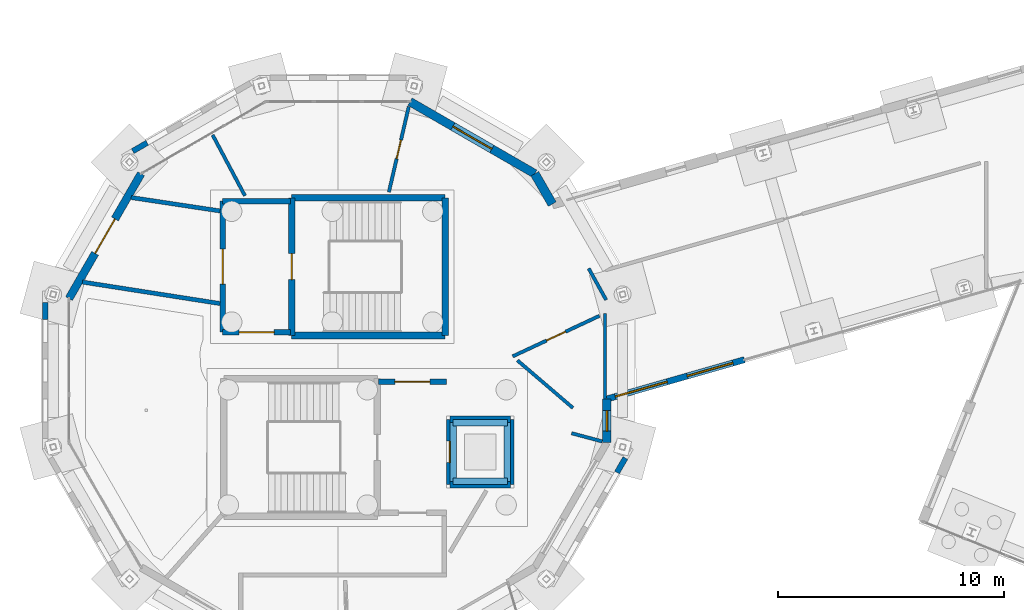
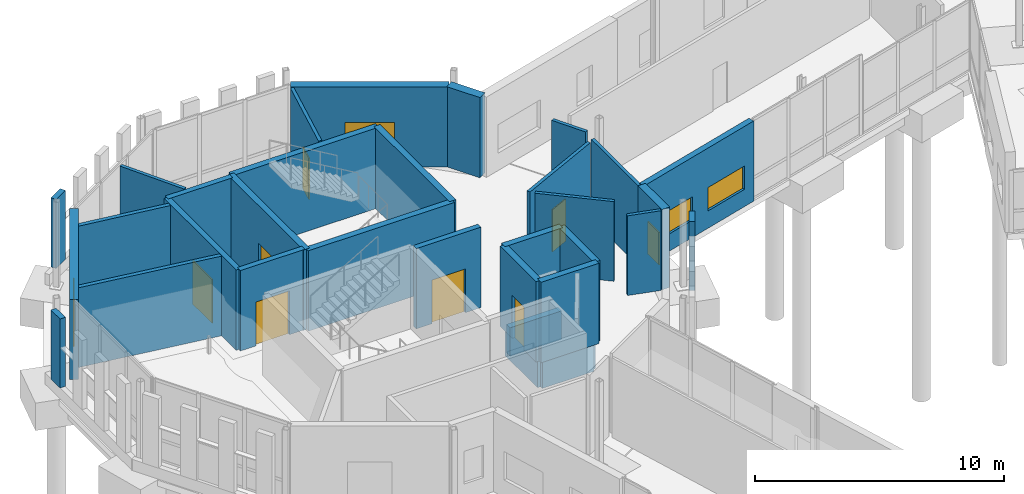
# One storey, part 83 of 113: 33 walls, 9 doors, 3 windows, 12 openings.
"""IFC4 building model written with IfcOpenShell, lengths in metres."""

from ifc_helpers import new_model, si_unit, direction, frame, frame_2d, origin, place, context, subcontext, project, spatial, rectangle, extrude, material, layer, layer_set, type_object, element, fill, save


model = new_model("IFC4")

# Units and contexts
model_context = context("Model", 3, precision=1e-05, world=origin(), true_north=direction((0.0, 1.0)))
body_context = subcontext(model_context, "Body", "Model", "MODEL_VIEW")
ifc_project = project(units=[si_unit("LENGTHUNIT", "METRE"), si_unit("AREAUNIT", "SQUARE_METRE"), si_unit("VOLUMEUNIT", "CUBIC_METRE"), si_unit("PLANEANGLEUNIT", "RADIAN"), si_unit("MASSUNIT", "GRAM", prefix="KILO")], contexts=[model_context])

# Site, building, storey
site_placement = place(None, origin())
site = spatial("IfcSite", under=ifc_project, at=site_placement, CompositionType="ELEMENT")
building_placement = place(site_placement, origin())
building = spatial("IfcBuilding", under=site, at=building_placement, Name="Wrenclough Park School", CompositionType="ELEMENT")
storey_placement = place(building_placement, origin())
storey = spatial("IfcBuildingStorey", under=building, at=storey_placement, Name="L00", CompositionType="ELEMENT", Elevation=0.0)

# Walls
ifc_material_1 = material(Name="Perforated open-bond Staffordshire and Manchester brick screen pier", Category="masonry")
ifc_layer_1 = layer(ifc_material_1, 0.2451171875)
ifc_layer_set_1 = layer_set([ifc_layer_1], Name="Perforated open-bond Staffordshire and Manchester brick screen pier")
wall_type_1 = type_object("IfcWallType", Name="ENV-BS-PR245", PredefinedType="ELEMENTEDWALL", material=ifc_layer_set_1)
for number, where, z_axis, x_axis, name in (
    (1, (8.055419921875, 99.58544921875, 0.550048828125), (0.0, 0.0, 1.0), (-0.866141586746, -0.499798711192, 0.0), "D3 L00 perforated brick screen pier 0092"),
    (2, (3.54345703125, 92.509521484375, 0.550048828125), (0.0, 0.0, 1.0), (0.0, -1.0, 0.0), "D3 L00 perforated brick screen pier 0093"),
    (3, (28.85595703125, 84.988037109375, 0.550048828125), (0.0, 0.0, 1.0), (0.500189527592, 0.865915952323, 0.0), "D3 L00 perforated brick screen pier 0104"),
):
    element("IfcWall", number, at=place(storey_placement, frame(where, z_axis=z_axis, x_axis=x_axis)), inside=storey, type_object=wall_type_1, Name=name, PredefinedType="ELEMENTEDWALL", context=body_context, shape_type="SweptSolid", body=[
        extrude(rectangle(XDim=0.739013671875, YDim=0.2451171875, at=frame_2d((0.36962890625, 0.0))), origin(), (0.0, 0.0, 1.0), 3.389892578125),
    ])

# Wall, openings, windows
ifc_material_2 = material(Name="Link wing brick-faced cavity wall Concrete C32/40", Category="masonry")
ifc_layer_2 = layer(ifc_material_2, 0.27490234375)
ifc_layer_set_2 = layer_set([ifc_layer_2], Name="Link wing brick-faced cavity wall Concrete C32/40")
wall_type_2 = type_object("IfcWallType", Name="ENV-EW-275", PredefinedType="SOLIDWALL", material=ifc_layer_set_2)
wall_1_placement = place(storey_placement, frame((34.50048828125, 89.983642578125, 0.0), z_axis=(0.0, 0.0, 1.0), x_axis=(-0.96152976126, -0.274700779415, 0.0)))
wall_1 = element("IfcWall", 4, at=wall_1_placement, inside=storey, type_object=wall_type_2, Name="L00 insulated brick external wall 0070", PredefinedType="SOLIDWALL", context=body_context, shape_type="SweptSolid", body=[
    extrude(rectangle(XDim=6.338623046875, YDim=0.27490234375, at=frame_2d((3.16943359375, 0.0))), origin(), (0.0, 0.0, 1.0), 3.93994140625),
])
opening_1_placement = place(wall_1_placement, frame((0.53466796875, 0.0, 0.85009765625)))
opening_1 = element("IfcOpeningElement", 5, at=opening_1_placement, cuts=wall_1, Name="Opening WN-40", PredefinedType="OPENING", context=body_context, shape_type="SweptSolid", body=[
    extrude(rectangle(XDim=2.10009765625, YDim=1.14990234375, at=frame_2d((1.050048828125, 0.574951171875))), frame((0.0, 0.1474609375, 0.0), z_axis=(0.0, -1.0, 0.0), x_axis=(1.0, 0.0, 0.0)), (0.0, 0.0, 1.0), 0.294921875),
])
opening_2_placement = place(wall_1_placement, frame((3.553955078125, 0.0, 0.85009765625)))
opening_2 = element("IfcOpeningElement", 6, at=opening_2_placement, cuts=wall_1, Name="Opening WN-41", PredefinedType="OPENING", context=body_context, shape_type="SweptSolid", body=[
    extrude(rectangle(XDim=2.39990234375, YDim=1.14990234375, at=frame_2d((1.199951171875, 0.574951171875))), frame((0.0, 0.1474609375, 0.0), z_axis=(0.0, -1.0, 0.0), x_axis=(1.0, 0.0, 0.0)), (0.0, 0.0, 1.0), 0.294921875),
])
ifc_material_3 = material(Name="Thermally broken aluminium and double-glazed low-e glass", Category="aluminium")
window_type_1 = type_object("IfcWindowType", Name="ENV-WN-40", PartitioningType="DOUBLE_PANEL_VERTICAL", PredefinedType="WINDOW", material=ifc_material_3)
window_1_placement = place(opening_1_placement, origin())
window_1 = element("IfcWindow", 7, at=window_1_placement, inside=storey, type_object=window_type_1, Name="L00 scheduled facade window 0095", OverallHeight=1.14990234375, OverallWidth=2.10009765625, PartitioningType="SINGLE_PANEL", PredefinedType="WINDOW", context=body_context, shape_type="SweptSolid", body=[
    extrude(rectangle(XDim=2.10009765625, YDim=1.14990234375, at=frame_2d((1.050048828125, 0.574951171875))), frame((0.0, 0.030029296875, 0.0), z_axis=(0.0, -1.0, 0.0), x_axis=(1.0, 0.0, 0.0)), (0.0, 0.0, 1.0), 0.06005859375),
])
fill(opening_1, window_1)
window_type_2 = type_object("IfcWindowType", Name="ENV-WN-41", PartitioningType="DOUBLE_PANEL_VERTICAL", PredefinedType="WINDOW", material=ifc_material_3)
window_2_placement = place(opening_2_placement, origin())
window_2 = element("IfcWindow", 8, at=window_2_placement, inside=storey, type_object=window_type_2, Name="L00 scheduled facade window 0096", OverallHeight=1.14990234375, OverallWidth=2.39990234375, PartitioningType="SINGLE_PANEL", PredefinedType="WINDOW", context=body_context, shape_type="SweptSolid", body=[
    extrude(rectangle(XDim=2.39990234375, YDim=1.14990234375, at=frame_2d((1.199951171875, 0.574951171875))), frame((0.0, 0.030029296875, 0.0), z_axis=(0.0, -1.0, 0.0), x_axis=(1.0, 0.0, 0.0)), (0.0, 0.0, 1.0), 0.06005859375),
])
fill(opening_2, window_2)

# Wall, opening, door
ifc_material_4 = material(Name="Staffordshire blue-grey brick and Concrete C35/45 inner leaf", Category="masonry")
ifc_layer_3 = layer(ifc_material_4, 0.35009765625)
ifc_layer_set_3 = layer_set([ifc_layer_3], Name="Staffordshire blue-grey brick and Concrete C35/45 inner leaf")
wall_type_3 = type_object("IfcWallType", Name="ENV-EW-350", PredefinedType="SOLIDWALL", material=ifc_layer_set_3)
wall_2_placement = place(storey_placement, frame((4.59423828125, 92.690185546875, 0.0), z_axis=(0.0, 0.0, 1.0), x_axis=(0.499966461314, 0.866044766488, 0.0)))
wall_2 = element("IfcWall", 9, at=wall_2_placement, inside=storey, type_object=wall_type_3, Name="L00 insulated brick external wall 0010", PredefinedType="SOLIDWALL", context=body_context, shape_type="SweptSolid", body=[
    extrude(rectangle(XDim=6.38037109375, YDim=0.35009765625, at=frame_2d((3.190185546875, 0.0))), origin(), (0.0, 0.0, 1.0), 3.93994140625),
])
opening_3_placement = place(wall_2_placement, frame((2.31005859375, 0.0, 0.0)))
opening_3 = element("IfcOpeningElement", 10, at=opening_3_placement, cuts=wall_2, Name="Opening EX-07", PredefinedType="OPENING", context=body_context, shape_type="SweptSolid", body=[
    extrude(rectangle(XDim=1.760009765625, YDim=2.14990234375, at=frame_2d((0.8798828125, 1.074951171875))), frame((0.0, 0.18505859375, 0.0), z_axis=(0.0, -1.0, 0.0), x_axis=(1.0, 0.0, 0.0)), (0.0, 0.0, 1.0), 0.3701171875),
])
ifc_material_5 = material(Name="Thermally broken powder-coated aluminium and laminated safety glass", Category="aluminium")
door_type_1 = type_object("IfcDoorType", Name="DR-EX176", OperationType="NOTDEFINED", PredefinedType="DOOR", material=ifc_material_5)
door_1_placement = place(opening_3_placement, origin())
door_1 = element("IfcDoor", 11, at=door_1_placement, inside=storey, type_object=door_type_1, Name="Pedestrian final exit door EX-07", OperationType="DOUBLE_DOOR_SINGLE_SWING", OverallHeight=2.14990234375, OverallWidth=1.760009765625, PredefinedType="DOOR", context=body_context, shape_type="SweptSolid", body=[
    extrude(rectangle(XDim=1.760009765625, YDim=2.14990234375, at=frame_2d((0.8798828125, 1.074951171875))), frame((0.0, 0.02490234375, 0.0), z_axis=(0.0, -1.0, 0.0), x_axis=(1.0, 0.0, 0.0)), (0.0, 0.0, 1.0), 0.050048828125),
])
fill(opening_3, door_1)

# Wall, opening, window
ifc_material_6 = material(Name="Faceted courtyard brick-cavity wall Concrete C35/45", Category="masonry")
ifc_layer_4 = layer(ifc_material_6, 0.364990234375)
ifc_layer_set_4 = layer_set([ifc_layer_4], Name="Faceted courtyard brick-cavity wall Concrete C35/45")
wall_type_4 = type_object("IfcWallType", Name="ENV-EW-365", PredefinedType="SOLIDWALL", material=ifc_layer_set_4)
wall_3_placement = place(storey_placement, frame((28.40576171875, 88.242431640625, 0.0), z_axis=(0.0, 0.0, 1.0), x_axis=(0.0, -1.0, 0.0)))
wall_3 = element("IfcWall", 12, at=wall_3_placement, inside=storey, type_object=wall_type_4, Name="L00 insulated brick external wall 0071", PredefinedType="SOLIDWALL", context=body_context, shape_type="SweptSolid", body=[
    extrude(rectangle(XDim=1.9326171875, YDim=0.364990234375, at=frame_2d((0.96630859375, 0.0))), origin(), (0.0, 0.0, 1.0), 3.93994140625),
])
opening_4_placement = place(wall_3_placement, frame((0.516357421875, 0.0, 0.85009765625)))
opening_4 = element("IfcOpeningElement", 13, at=opening_4_placement, cuts=wall_3, Name="Opening WN-13", PredefinedType="OPENING", context=body_context, shape_type="SweptSolid", body=[
    extrude(rectangle(XDim=0.89990234375, YDim=1.60009765625, at=frame_2d((0.449951171875, 0.800048828125))), frame((0.0, 0.1923828125, 0.0), z_axis=(0.0, -1.0, 0.0), x_axis=(1.0, 0.0, 0.0)), (0.0, 0.0, 1.0), 0.385009765625),
])
window_type_3 = type_object("IfcWindowType", Name="ENV-WN-13", PartitioningType="SINGLE_PANEL", PredefinedType="WINDOW", material=ifc_material_3)
window_3_placement = place(opening_4_placement, origin())
window_3 = element("IfcWindow", 14, at=window_3_placement, inside=storey, type_object=window_type_3, Name="L00 scheduled facade window 0097", OverallHeight=1.60009765625, OverallWidth=0.89990234375, PartitioningType="SINGLE_PANEL", PredefinedType="WINDOW", context=body_context, shape_type="SweptSolid", body=[
    extrude(rectangle(XDim=0.89990234375, YDim=1.60009765625, at=frame_2d((0.449951171875, 0.800048828125))), frame((0.0, 0.030029296875, 0.0), z_axis=(0.0, -1.0, 0.0), x_axis=(1.0, 0.0, 0.0)), (0.0, 0.0, 1.0), 0.06005859375),
])
fill(opening_4, window_3)

# Wall, opening, door
ifc_material_7 = material(Name="Manchester multi-stock brick and Concrete C35/45 inner leaf", Category="masonry")
ifc_layer_5 = layer(ifc_material_7, 0.3798828125)
ifc_layer_set_5 = layer_set([ifc_layer_5], Name="Manchester multi-stock brick and Concrete C35/45 inner leaf")
wall_type_5 = type_object("IfcWallType", Name="ENV-EW-380", PredefinedType="SOLIDWALL", material=ifc_layer_set_5)
wall_4_placement = place(storey_placement, frame((19.690185546875, 101.40576171875, 0.0), z_axis=(0.0, 0.0, 1.0), x_axis=(0.866044766488, -0.499966461314, 0.0)))
wall_4 = element("IfcWall", 15, at=wall_4_placement, inside=storey, type_object=wall_type_5, Name="L00 insulated brick external wall 0011", PredefinedType="SOLIDWALL", context=body_context, shape_type="SweptSolid", body=[
    extrude(rectangle(XDim=6.38037109375, YDim=0.3798828125, at=frame_2d((3.190185546875, 0.0))), origin(), (0.0, 0.0, 1.0), 3.93994140625),
])
opening_5_placement = place(wall_4_placement, frame((2.190185546875, 0.0, 0.0)))
opening_5 = element("IfcOpeningElement", 16, at=opening_5_placement, cuts=wall_4, Name="Opening EX-16", PredefinedType="OPENING", context=body_context, shape_type="SweptSolid", body=[
    extrude(rectangle(XDim=2.0, YDim=2.199951171875, at=frame_2d((1.0, 1.10009765625))), frame((0.0, 0.199951171875, 0.0), z_axis=(0.0, -1.0, 0.0), x_axis=(1.0, 0.0, 0.0)), (0.0, 0.0, 1.0), 0.39990234375),
])
door_type_2 = type_object("IfcDoorType", Name="DR-EX200", OperationType="NOTDEFINED", PredefinedType="DOOR", material=ifc_material_5)
door_2_placement = place(opening_5_placement, origin())
door_2 = element("IfcDoor", 17, at=door_2_placement, inside=storey, type_object=door_type_2, Name="Pedestrian final exit door EX-16", OperationType="DOUBLE_DOOR_SINGLE_SWING", OverallHeight=2.199951171875, OverallWidth=2.0, PredefinedType="DOOR", context=body_context, shape_type="SweptSolid", body=[
    extrude(rectangle(XDim=2.0, YDim=2.199951171875, at=frame_2d((1.0, 1.10009765625))), frame((0.0, 0.02490234375, 0.0), z_axis=(0.0, -1.0, 0.0), x_axis=(1.0, 0.0, 0.0)), (0.0, 0.0, 1.0), 0.050048828125),
])
fill(opening_5, door_2)

# Wall
ifc_material_8 = material(Name="Staffordshire blue-grey brick and Concrete C40/50 acoustic leaf", Category="masonry")
ifc_layer_6 = layer(ifc_material_8, 0.39990234375)
ifc_layer_set_6 = layer_set([ifc_layer_6], Name="Staffordshire blue-grey brick and Concrete C40/50 acoustic leaf")
wall_type_6 = type_object("IfcWallType", Name="ENV-EW-400", PredefinedType="SOLIDWALL", material=ifc_layer_set_6)
wall_5_placement = place(storey_placement, frame((25.2158203125, 98.2158203125, 0.0), z_axis=(0.0, 0.0, 1.0), x_axis=(0.499758756264, -0.866164641127, 0.0)))
element("IfcWall", 18, at=wall_5_placement, inside=storey, type_object=wall_type_6, Name="L00 insulated brick external wall 0012", PredefinedType="SOLIDWALL", context=body_context, shape_type="SweptSolid", body=[
    extrude(rectangle(XDim=1.552490234375, YDim=0.39990234375, at=frame_2d((0.7763671875, 0.0))), origin(), (0.0, 0.0, 1.0), 3.93994140625),
])

# Wall, opening, door
ifc_material_9 = material(Name="Concrete C35/45", Category="concrete")
ifc_layer_7 = layer(ifc_material_9, 0.25)
ifc_layer_set_7 = layer_set([ifc_layer_7], Name="Concrete C35/45")
wall_type_7 = type_object("IfcWallType", Name="INT-CW-250", PredefinedType="SHEAR", material=ifc_layer_set_7)
wall_6_placement = place(storey_placement, frame((21.300048828125, 89.0, 0.0), z_axis=(0.0, 0.0, 1.0), x_axis=(-1.0, 0.0, 0.0)))
wall_6 = element("IfcWall", 19, at=wall_6_placement, inside=storey, type_object=wall_type_7, Name="Core C3 L00 lobby fire wall north", PredefinedType="SHEAR", context=body_context, shape_type="SweptSolid", body=[
    extrude(rectangle(XDim=3.0, YDim=0.25, at=frame_2d((1.5, 0.0))), origin(), (0.0, 0.0, 1.0), 3.949951171875),
])
opening_6_placement = place(wall_6_placement, frame((0.72509765625, 0.0, 0.0)))
opening_6 = element("IfcOpeningElement", 20, at=opening_6_placement, cuts=wall_6, Name="Opening DLB-C3-L00", PredefinedType="OPENING", context=body_context, shape_type="SweptSolid", body=[
    extrude(rectangle(XDim=1.550048828125, YDim=2.14990234375, at=frame_2d((0.77490234375, 1.074951171875))), frame((0.0, 0.135009765625, 0.0), z_axis=(0.0, -1.0, 0.0), x_axis=(1.0, 0.0, 0.0)), (0.0, 0.0, 1.0), 0.27001953125),
])
ifc_material_10 = material(Name="Protected stair lobby double fire door assembly", Category="wood")
door_type_3 = type_object("IfcDoorType", Name="INT-DR-LB155", OperationType="NOTDEFINED", PredefinedType="DOOR", material=ifc_material_10)
door_3_placement = place(opening_6_placement, frame((1.550048828125, 0.0, 0.0), z_axis=(0.0, 0.0, 1.0), x_axis=(-1.0, 0.0, 0.0)))
door_3 = element("IfcDoor", 21, at=door_3_placement, inside=storey, type_object=door_type_3, Name="Core C3 L00 protected lobby fire door", OperationType="DOUBLE_DOOR_SINGLE_SWING", OverallHeight=2.14990234375, OverallWidth=1.550048828125, PredefinedType="DOOR", context=body_context, shape_type="SweptSolid", body=[
    extrude(rectangle(XDim=1.550048828125, YDim=2.14990234375, at=frame_2d((0.77490234375, 1.074951171875))), frame((0.0, 0.02490234375, 0.0), z_axis=(0.0, -1.0, 0.0), x_axis=(1.0, 0.0, 0.0)), (0.0, 0.0, 1.0), 0.050048828125),
])
fill(opening_6, door_3)

wall_7_placement = place(storey_placement, frame((11.39990234375, 91.199951171875, 0.0), z_axis=(0.0, 0.0, 1.0), x_axis=(1.0, 0.0, 0.0)))
wall_7 = element("IfcWall", 22, at=wall_7_placement, inside=storey, type_object=wall_type_7, Name="Core C3B L00 lobby fire wall south", PredefinedType="SHEAR", context=body_context, shape_type="SweptSolid", body=[
    extrude(rectangle(XDim=3.0, YDim=0.25, at=frame_2d((1.5, 0.0))), origin(), (0.0, 0.0, 1.0), 3.949951171875),
])
opening_7_placement = place(wall_7_placement, frame((0.72509765625, 0.0, 0.0)))
opening_7 = element("IfcOpeningElement", 23, at=opening_7_placement, cuts=wall_7, Name="Opening DLB-C3B-L00", PredefinedType="OPENING", context=body_context, shape_type="SweptSolid", body=[
    extrude(rectangle(XDim=1.550048828125, YDim=2.14990234375, at=frame_2d((0.77490234375, 1.074951171875))), frame((0.0, 0.135009765625, 0.0), z_axis=(0.0, -1.0, 0.0), x_axis=(1.0, 0.0, 0.0)), (0.0, 0.0, 1.0), 0.27001953125),
])
door_4_placement = place(opening_7_placement, frame((1.550048828125, 0.0, 0.0), z_axis=(0.0, 0.0, 1.0), x_axis=(-1.0, 0.0, 0.0)))
door_4 = element("IfcDoor", 24, at=door_4_placement, inside=storey, type_object=door_type_3, Name="Core C3B L00 protected lobby fire door", OperationType="DOUBLE_DOOR_SINGLE_SWING", OverallHeight=2.14990234375, OverallWidth=1.550048828125, PredefinedType="DOOR", context=body_context, shape_type="SweptSolid", body=[
    extrude(rectangle(XDim=1.550048828125, YDim=2.14990234375, at=frame_2d((0.77490234375, 1.074951171875))), frame((0.0, 0.02490234375, 0.0), z_axis=(0.0, -1.0, 0.0), x_axis=(1.0, 0.0, 0.0)), (0.0, 0.0, 1.0), 0.050048828125),
])
fill(opening_7, door_4)

# Wall
wall_8_placement = place(storey_placement, frame((14.39990234375, 97.0, 0.0), z_axis=(0.0, 0.0, 1.0), x_axis=(-1.0, 0.0, 0.0)))
element("IfcWall", 25, at=wall_8_placement, inside=storey, type_object=wall_type_7, Name="Core C3B L00 lobby fire wall north", PredefinedType="SHEAR", context=body_context, shape_type="SweptSolid", body=[
    extrude(rectangle(XDim=3.0, YDim=0.25, at=frame_2d((1.5, 0.0))), origin(), (0.0, 0.0, 1.0), 3.949951171875),
])

# Wall, opening, door
wall_9_placement = place(storey_placement, frame((11.39990234375, 97.0, 0.0), z_axis=(0.0, 0.0, 1.0), x_axis=(0.0, -1.0, 0.0)))
wall_9 = element("IfcWall", 26, at=wall_9_placement, inside=storey, type_object=wall_type_7, Name="Core C3B L00 lobby fire wall west", PredefinedType="SHEAR", context=body_context, shape_type="SweptSolid", body=[
    extrude(rectangle(XDim=5.800048828125, YDim=0.25, at=frame_2d((2.89990234375, 0.0))), origin(), (0.0, 0.0, 1.0), 3.949951171875),
])
opening_8_placement = place(wall_9_placement, frame((2.125, 0.0, 0.0)))
opening_8 = element("IfcOpeningElement", 27, at=opening_8_placement, cuts=wall_9, Name="Opening DEP-C3B-L00", PredefinedType="OPENING", context=body_context, shape_type="SweptSolid", body=[
    extrude(rectangle(XDim=1.550048828125, YDim=2.14990234375, at=frame_2d((0.77490234375, 1.074951171875))), frame((0.0, 0.135009765625, 0.0), z_axis=(0.0, -1.0, 0.0), x_axis=(1.0, 0.0, 0.0)), (0.0, 0.0, 1.0), 0.27001953125),
])
door_5_placement = place(opening_8_placement, frame((1.550048828125, 0.0, 0.0), z_axis=(0.0, 0.0, 1.0), x_axis=(-1.0, 0.0, 0.0)))
door_5 = element("IfcDoor", 28, at=door_5_placement, inside=storey, type_object=door_type_3, Name="Core C3B L00 protected exit passageway fire door", OperationType="DOUBLE_DOOR_SINGLE_SWING", OverallHeight=2.14990234375, OverallWidth=1.550048828125, PredefinedType="DOOR", context=body_context, shape_type="SweptSolid", body=[
    extrude(rectangle(XDim=1.550048828125, YDim=2.14990234375, at=frame_2d((0.77490234375, 1.074951171875))), frame((0.0, 0.02490234375, 0.0), z_axis=(0.0, -1.0, 0.0), x_axis=(1.0, 0.0, 0.0)), (0.0, 0.0, 1.0), 0.050048828125),
])
fill(opening_8, door_5)

# Walls
ifc_material_11 = material(Name="Concrete C40/50", Category="concrete")
ifc_layer_8 = layer(ifc_material_11, 0.2900390625)
ifc_layer_set_8 = layer_set([ifc_layer_8], Name="Concrete C40/50")
wall_type_8 = type_object("IfcWallType", Name="INT-CW-290", PredefinedType="SHEAR", material=ifc_layer_set_8)
wall_10_placement = place(storey_placement, frame((21.60009765625, 84.60009765625, -1.39990234375), z_axis=(0.0, 0.0, 1.0), x_axis=(1.0, 0.0, 0.0)))
element("IfcWall", 29, at=wall_10_placement, inside=storey, type_object=wall_type_8, Name="Lift LFT-05 concrete pit wall 1", PredefinedType="SHEAR", context=body_context, shape_type="SweptSolid", body=[
    extrude(rectangle(XDim=2.39990234375, YDim=0.2900390625, at=frame_2d((1.199951171875, 0.0))), origin(), (0.0, 0.0, 1.0), 1.39990234375),
])
wall_11_placement = place(storey_placement, frame((24.0, 84.60009765625, -1.39990234375), z_axis=(0.0, 0.0, 1.0), x_axis=(0.0, 1.0, 0.0)))
element("IfcWall", 30, at=wall_11_placement, inside=storey, type_object=wall_type_8, Name="Lift LFT-05 concrete pit wall 2", PredefinedType="SHEAR", context=body_context, shape_type="SweptSolid", body=[
    extrude(rectangle(XDim=2.599853515625, YDim=0.2900390625, at=frame_2d((1.2998046875, 0.0))), origin(), (0.0, 0.0, 1.0), 1.39990234375),
])
wall_12_placement = place(storey_placement, frame((24.0, 87.199951171875, -1.39990234375), z_axis=(0.0, 0.0, 1.0), x_axis=(-1.0, 0.0, 0.0)))
element("IfcWall", 31, at=wall_12_placement, inside=storey, type_object=wall_type_8, Name="Lift LFT-05 concrete pit wall 3", PredefinedType="SHEAR", context=body_context, shape_type="SweptSolid", body=[
    extrude(rectangle(XDim=2.39990234375, YDim=0.2900390625, at=frame_2d((1.199951171875, 0.0))), origin(), (0.0, 0.0, 1.0), 1.39990234375),
])
wall_13_placement = place(storey_placement, frame((21.60009765625, 87.199951171875, -1.39990234375), z_axis=(0.0, 0.0, 1.0), x_axis=(0.0, -1.0, 0.0)))
element("IfcWall", 32, at=wall_13_placement, inside=storey, type_object=wall_type_8, Name="Lift LFT-05 concrete pit wall 4", PredefinedType="SHEAR", context=body_context, shape_type="SweptSolid", body=[
    extrude(rectangle(XDim=2.599853515625, YDim=0.2900390625, at=frame_2d((1.2998046875, 0.0))), origin(), (0.0, 0.0, 1.0), 1.39990234375),
])
wall_14_placement = place(storey_placement, frame((21.455078125, 84.455078125, 0.0), z_axis=(0.0, 0.0, 1.0), x_axis=(1.0, 0.0, 0.0)))
element("IfcWall", 33, at=wall_14_placement, inside=storey, type_object=wall_type_8, Name="Lift LFT-05 L00 south shaft wall", PredefinedType="SHEAR", context=body_context, shape_type="SweptSolid", body=[
    extrude(rectangle(XDim=2.68994140625, YDim=0.2900390625, at=frame_2d((1.344970703125, 0.0))), origin(), (0.0, 0.0, 1.0), 3.949951171875),
])
wall_15_placement = place(storey_placement, frame((24.14501953125, 84.455078125, 0.0), z_axis=(0.0, 0.0, 1.0), x_axis=(0.0, 1.0, 0.0)))
element("IfcWall", 34, at=wall_15_placement, inside=storey, type_object=wall_type_8, Name="Lift LFT-05 L00 east shaft wall", PredefinedType="SHEAR", context=body_context, shape_type="SweptSolid", body=[
    extrude(rectangle(XDim=2.889892578125, YDim=0.2900390625, at=frame_2d((1.44482421875, 0.0))), origin(), (0.0, 0.0, 1.0), 3.949951171875),
])
wall_16_placement = place(storey_placement, frame((24.14501953125, 87.344970703125, 0.0), z_axis=(0.0, 0.0, 1.0), x_axis=(-1.0, 0.0, 0.0)))
element("IfcWall", 35, at=wall_16_placement, inside=storey, type_object=wall_type_8, Name="Lift LFT-05 L00 north shaft wall", PredefinedType="SHEAR", context=body_context, shape_type="SweptSolid", body=[
    extrude(rectangle(XDim=2.68994140625, YDim=0.2900390625, at=frame_2d((1.344970703125, 0.0))), origin(), (0.0, 0.0, 1.0), 3.949951171875),
])

# Wall, opening, door
wall_17_placement = place(storey_placement, frame((21.455078125, 87.344970703125, 0.0), z_axis=(0.0, 0.0, 1.0), x_axis=(0.0, -1.0, 0.0)))
wall_17 = element("IfcWall", 36, at=wall_17_placement, inside=storey, type_object=wall_type_8, Name="Lift LFT-05 L00 west shaft wall", PredefinedType="SHEAR", context=body_context, shape_type="SweptSolid", body=[
    extrude(rectangle(XDim=2.889892578125, YDim=0.2900390625, at=frame_2d((1.44482421875, 0.0))), origin(), (0.0, 0.0, 1.0), 3.949951171875),
])
opening_9_placement = place(wall_17_placement, frame((0.969970703125, 0.0, 0.0)))
opening_9 = element("IfcOpeningElement", 37, at=opening_9_placement, cuts=wall_17, Name="Opening LD-05-L00", PredefinedType="OPENING", context=body_context, shape_type="SweptSolid", body=[
    extrude(rectangle(XDim=0.949951171875, YDim=2.10009765625, at=frame_2d((0.47509765625, 1.050048828125))), frame((0.0, 0.155029296875, 0.0), z_axis=(0.0, -1.0, 0.0), x_axis=(1.0, 0.0, 0.0)), (0.0, 0.0, 1.0), 0.31005859375),
])
ifc_material_12 = material(Name="Brushed stainless steel", Category="steel")
door_type_4 = type_object("IfcDoorType", Name="INT-DR-LD095", OperationType="NOTDEFINED", PredefinedType="DOOR", material=ifc_material_12)
door_6_placement = place(opening_9_placement, frame((0.949951171875, 0.0, 0.0), z_axis=(0.0, 0.0, 1.0), x_axis=(-1.0, 0.0, 0.0)))
door_6 = element("IfcDoor", 38, at=door_6_placement, inside=storey, type_object=door_type_4, Name="Lift LFT-05 L00 sliding landing door", OperationType="SLIDING_TO_LEFT", OverallHeight=2.10009765625, OverallWidth=0.949951171875, PredefinedType="DOOR", context=body_context, shape_type="SweptSolid", body=[
    extrude(rectangle(XDim=0.949951171875, YDim=2.10009765625, at=frame_2d((0.47509765625, 1.050048828125))), frame((0.0, 0.02490234375, 0.0), z_axis=(0.0, -1.0, 0.0), x_axis=(1.0, 0.0, 0.0)), (0.0, 0.0, 1.0), 0.050048828125),
])
fill(opening_9, door_6)

# Walls
wall_18_placement = place(storey_placement, frame((14.455078125, 91.054931640625, 0.0), z_axis=(0.0, 0.0, 1.0), x_axis=(1.0, 0.0, 0.0)))
element("IfcWall", 39, at=wall_18_placement, inside=storey, type_object=wall_type_8, Name="Core C3B L00 south shear wall", PredefinedType="SHEAR", context=body_context, shape_type="SweptSolid", body=[
    extrude(rectangle(XDim=6.7900390625, YDim=0.2900390625, at=frame_2d((3.39501953125, 0.0))), origin(), (0.0, 0.0, 1.0), 3.949951171875),
])
wall_19_placement = place(storey_placement, frame((21.2451171875, 91.054931640625, 0.0), z_axis=(0.0, 0.0, 1.0), x_axis=(0.0, 1.0, 0.0)))
element("IfcWall", 40, at=wall_19_placement, inside=storey, type_object=wall_type_8, Name="Core C3B L00 east shear wall", PredefinedType="SHEAR", context=body_context, shape_type="SweptSolid", body=[
    extrude(rectangle(XDim=6.090087890625, YDim=0.2900390625, at=frame_2d((3.044921875, 0.0))), origin(), (0.0, 0.0, 1.0), 3.949951171875),
])
wall_20_placement = place(storey_placement, frame((21.2451171875, 97.14501953125, 0.0), z_axis=(0.0, 0.0, 1.0), x_axis=(-1.0, 0.0, 0.0)))
element("IfcWall", 41, at=wall_20_placement, inside=storey, type_object=wall_type_8, Name="Core C3B L00 north shear wall", PredefinedType="SHEAR", context=body_context, shape_type="SweptSolid", body=[
    extrude(rectangle(XDim=6.7900390625, YDim=0.2900390625, at=frame_2d((3.39501953125, 0.0))), origin(), (0.0, 0.0, 1.0), 3.949951171875),
])

# Wall, opening, door
wall_21_placement = place(storey_placement, frame((14.455078125, 97.14501953125, 0.0), z_axis=(0.0, 0.0, 1.0), x_axis=(0.0, -1.0, 0.0)))
wall_21 = element("IfcWall", 42, at=wall_21_placement, inside=storey, type_object=wall_type_8, Name="Core C3B L00 west shear wall", PredefinedType="SHEAR", context=body_context, shape_type="SweptSolid", body=[
    extrude(rectangle(XDim=6.090087890625, YDim=0.2900390625, at=frame_2d((3.044921875, 0.0))), origin(), (0.0, 0.0, 1.0), 3.949951171875),
])
opening_10_placement = place(wall_21_placement, frame((2.469970703125, 0.0, 0.0)))
opening_10 = element("IfcOpeningElement", 43, at=opening_10_placement, cuts=wall_21, Name="Opening DST-C3B-L00", PredefinedType="OPENING", context=body_context, shape_type="SweptSolid", body=[
    extrude(rectangle(XDim=1.14990234375, YDim=2.10009765625, at=frame_2d((0.574951171875, 1.050048828125))), frame((0.0, 0.155029296875, 0.0), z_axis=(0.0, -1.0, 0.0), x_axis=(1.0, 0.0, 0.0)), (0.0, 0.0, 1.0), 0.31005859375),
])
ifc_material_13 = material(Name="Protected escape stair single fire door assembly", Category="wood")
door_type_5 = type_object("IfcDoorType", Name="INT-DR-ST115", OperationType="NOTDEFINED", PredefinedType="DOOR", material=ifc_material_13)
door_7_placement = place(opening_10_placement, frame((1.14990234375, 0.0, 0.0), z_axis=(0.0, 0.0, 1.0), x_axis=(-1.0, 0.0, 0.0)))
door_7 = element("IfcDoor", 44, at=door_7_placement, inside=storey, type_object=door_type_5, Name="Stair ST-07 L00 fire door", OperationType="SINGLE_SWING_LEFT", OverallHeight=2.10009765625, OverallWidth=1.14990234375, PredefinedType="DOOR", context=body_context, shape_type="SweptSolid", body=[
    extrude(rectangle(XDim=1.14990234375, YDim=2.10009765625, at=frame_2d((0.574951171875, 1.050048828125))), frame((0.0, 0.02490234375, 0.0), z_axis=(0.0, -1.0, 0.0), x_axis=(1.0, 0.0, 0.0)), (0.0, 0.0, 1.0), 0.050048828125),
])
fill(opening_10, door_7)

# Walls
ifc_material_14 = material(Name="Protected corridor partition", Category="gypsum")
ifc_layer_9 = layer(ifc_material_14, 0.14990234375)
ifc_layer_set_9 = layer_set([ifc_layer_9], Name="Protected corridor partition")
wall_type_9 = type_object("IfcWallType", Name="INT-PW-150", PredefinedType="PARTITIONING", material=ifc_layer_set_9)
wall_22_placement = place(storey_placement, frame((26.844482421875, 86.728271484375, 0.0), z_axis=(0.0, 0.0, 1.0), x_axis=(0.965916169592, -0.258855081698, 0.0)))
element("IfcWall", 45, at=wall_22_placement, inside=storey, type_object=wall_type_9, Name="L00 internal partition 0097", PredefinedType="PARTITIONING", context=body_context, shape_type="SweptSolid", body=[
    extrude(rectangle(XDim=1.401611328125, YDim=0.14990234375, at=frame_2d((0.70068359375, 0.0))), origin(), (0.0, 0.0, 1.0), 3.9150390625),
])
wall_23_placement = place(storey_placement, frame((28.32568359375, 88.242919921875, 0.0), z_axis=(0.0, 0.0, 1.0), x_axis=(0.0, 1.0, 0.0)))
element("IfcWall", 46, at=wall_23_placement, inside=storey, type_object=wall_type_9, Name="L00 internal partition 0098", PredefinedType="PARTITIONING", context=body_context, shape_type="SweptSolid", body=[
    extrude(rectangle(XDim=3.79638671875, YDim=0.14990234375, at=frame_2d((1.898193359375, 0.0))), origin(), (0.0, 0.0, 1.0), 3.9150390625),
])

# Wall, opening, door
wall_24_placement = place(storey_placement, frame((28.07568359375, 91.922607421875, 0.0), z_axis=(0.0, 0.0, 1.0), x_axis=(-0.906140423984, -0.422976987579, 0.0)))
wall_24 = element("IfcWall", 47, at=wall_24_placement, inside=storey, type_object=wall_type_9, Name="L00 internal partition 0099", PredefinedType="PARTITIONING", context=body_context, shape_type="SweptSolid", body=[
    extrude(rectangle(XDim=4.23486328125, YDim=0.14990234375, at=frame_2d((2.117431640625, 0.0))), origin(), (0.0, 0.0, 1.0), 3.9150390625),
])
opening_11_placement = place(wall_24_placement, frame((1.657470703125, 0.0, 0.0)))
opening_11 = element("IfcOpeningElement", 48, at=opening_11_placement, cuts=wall_24, Name="Opening DR-L00-011", PredefinedType="OPENING", context=body_context, shape_type="SweptSolid", body=[
    extrude(rectangle(XDim=0.919921875, YDim=2.080078125, at=frame_2d((0.4599609375, 1.0400390625))), frame((0.0, 0.0849609375, 0.0), z_axis=(0.0, -1.0, 0.0), x_axis=(1.0, 0.0, 0.0)), (0.0, 0.0, 1.0), 0.169921875),
])
ifc_material_15 = material(Name="Acoustic classroom single leaf vision door assembly", Category="wood")
door_type_6 = type_object("IfcDoorType", Name="INT-DR-CL092", OperationType="NOTDEFINED", PredefinedType="DOOR", material=ifc_material_15)
door_8_placement = place(opening_11_placement, origin())
door_8 = element("IfcDoor", 49, at=door_8_placement, inside=storey, type_object=door_type_6, Name="Food Technology Classroom door DR-L00-011", OperationType="SINGLE_SWING_RIGHT", OverallHeight=2.080078125, OverallWidth=0.919921875, PredefinedType="DOOR", context=body_context, shape_type="SweptSolid", body=[
    extrude(rectangle(XDim=0.919921875, YDim=2.080078125, at=frame_2d((0.4599609375, 1.0400390625))), frame((0.0, 0.02490234375, 0.0), z_axis=(0.0, -1.0, 0.0), x_axis=(1.0, 0.0, 0.0)), (0.0, 0.0, 1.0), 0.050048828125),
])
fill(opening_11, door_8)

# Wall
wall_25_placement = place(storey_placement, frame((24.44677734375, 89.95263671875, 0.0), z_axis=(0.0, 0.0, 1.0), x_axis=(0.759458863271, -0.650555328161, 0.0)))
element("IfcWall", 50, at=wall_25_placement, inside=storey, type_object=wall_type_9, Name="L00 internal partition 0100", PredefinedType="PARTITIONING", context=body_context, shape_type="SweptSolid", body=[
    extrude(rectangle(XDim=3.237060546875, YDim=0.14990234375, at=frame_2d((1.61865234375, 0.0))), origin(), (0.0, 0.0, 1.0), 3.9150390625),
])

# Wall, opening, door
wall_26_placement = place(storey_placement, frame((18.756591796875, 97.405029296875, 0.0), z_axis=(0.0, 0.0, 1.0), x_axis=(0.226575893186, 0.973993513647, 0.0)))
wall_26 = element("IfcWall", 51, at=wall_26_placement, inside=storey, type_object=wall_type_9, Name="L00 internal partition 0101", PredefinedType="PARTITIONING", context=body_context, shape_type="SweptSolid", body=[
    extrude(rectangle(XDim=3.884521484375, YDim=0.14990234375, at=frame_2d((1.9423828125, 0.0))), origin(), (0.0, 0.0, 1.0), 3.9150390625),
])
opening_12_placement = place(wall_26_placement, frame((1.522216796875, 0.0, 0.0)))
opening_12 = element("IfcOpeningElement", 52, at=opening_12_placement, cuts=wall_26, Name="Opening DR-L00-012", PredefinedType="OPENING", context=body_context, shape_type="SweptSolid", body=[
    extrude(rectangle(XDim=0.840087890625, YDim=2.0400390625, at=frame_2d((0.419921875, 1.02001953125))), frame((0.0, 0.0849609375, 0.0), z_axis=(0.0, -1.0, 0.0), x_axis=(1.0, 0.0, 0.0)), (0.0, 0.0, 1.0), 0.169921875),
])
ifc_material_16 = material(Name="Prep and store room fire door assembly", Category="wood")
door_type_7 = type_object("IfcDoorType", Name="INT-DR-STR084", OperationType="NOTDEFINED", PredefinedType="DOOR", material=ifc_material_16)
door_9_placement = place(opening_12_placement, origin())
door_9 = element("IfcDoor", 53, at=door_9_placement, inside=storey, type_object=door_type_7, Name="Timber and Kiln Store door DR-L00-012", OperationType="SINGLE_SWING_LEFT", OverallHeight=2.0400390625, OverallWidth=0.840087890625, PredefinedType="DOOR", context=body_context, shape_type="SweptSolid", body=[
    extrude(rectangle(XDim=0.840087890625, YDim=2.0400390625, at=frame_2d((0.419921875, 1.02001953125))), frame((0.0, 0.02490234375, 0.0), z_axis=(0.0, -1.0, 0.0), x_axis=(1.0, 0.0, 0.0)), (0.0, 0.0, 1.0), 0.050048828125),
])
fill(opening_12, door_9)

# Walls
wall_27_placement = place(storey_placement, frame((10.9541015625, 99.93017578125, 0.0), z_axis=(0.0, 0.0, 1.0), x_axis=(0.469477420604, -0.882944478177, 0.0)))
element("IfcWall", 54, at=wall_27_placement, inside=storey, type_object=wall_type_9, Name="L00 internal partition 0102", PredefinedType="PARTITIONING", context=body_context, shape_type="SweptSolid", body=[
    extrude(rectangle(XDim=3.046875, YDim=0.14990234375, at=frame_2d((1.5234375, 0.0))), origin(), (0.0, 0.0, 1.0), 3.9150390625),
])
wall_28_placement = place(storey_placement, frame((27.60205078125, 94.022216796875, 0.0), z_axis=(0.0, 0.0, 1.0), x_axis=(0.485330821968, -0.874330597227, 0.0)))
element("IfcWall", 55, at=wall_28_placement, inside=storey, type_object=wall_type_9, Name="L00 internal partition 0151", PredefinedType="PARTITIONING", context=body_context, shape_type="SweptSolid", body=[
    extrude(rectangle(XDim=1.59423828125, YDim=0.14990234375, at=frame_2d((0.797119140625, 0.0))), origin(), (0.0, 0.0, 1.0), 3.9150390625),
])
ifc_material_17 = material(Name="Laboratory fire and acoustic partition", Category="gypsum")
ifc_layer_10 = layer(ifc_material_17, 0.18505859375)
ifc_layer_set_10 = layer_set([ifc_layer_10], Name="Laboratory fire and acoustic partition")
wall_type_10 = type_object("IfcWallType", Name="INT-PW-185", PredefinedType="PARTITIONING", material=ifc_layer_set_10)
wall_29_placement = place(storey_placement, frame((11.284912109375, 96.5673828125, 0.0), z_axis=(0.0, 0.0, 1.0), x_axis=(-0.988761147225, 0.149503825163, 0.0)))
element("IfcWall", 56, at=wall_29_placement, inside=storey, type_object=wall_type_10, Name="L00 protected exit passageway EI 60 wall 0013", PredefinedType="PARTITIONING", context=body_context, shape_type="SweptSolid", body=[
    extrude(rectangle(XDim=3.981201171875, YDim=0.18505859375, at=frame_2d((1.99072265625, 0.0))), origin(), (0.0, 0.0, 1.0), 3.9150390625),
])
wall_30_placement = place(storey_placement, frame((5.18798828125, 93.420654296875, 0.0), z_axis=(0.0, 0.0, 1.0), x_axis=(0.988012222326, -0.154375673388, 0.0)))
element("IfcWall", 57, at=wall_30_placement, inside=storey, type_object=wall_type_10, Name="L00 protected exit passageway EI 60 wall 0014", PredefinedType="PARTITIONING", context=body_context, shape_type="SweptSolid", body=[
    extrude(rectangle(XDim=6.1708984375, YDim=0.18505859375, at=frame_2d((3.08544921875, 0.0))), origin(), (0.0, 0.0, 1.0), 3.9150390625),
])

save(model, "model.ifc")
